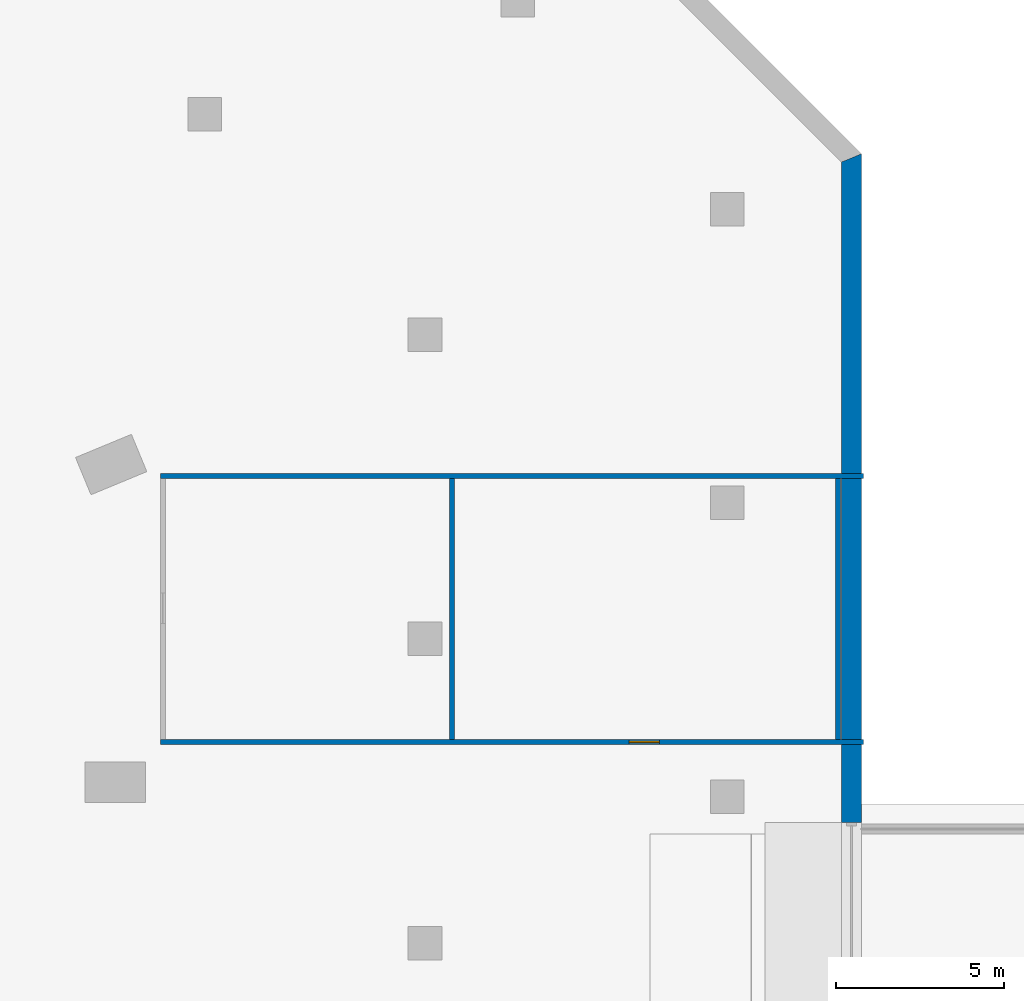
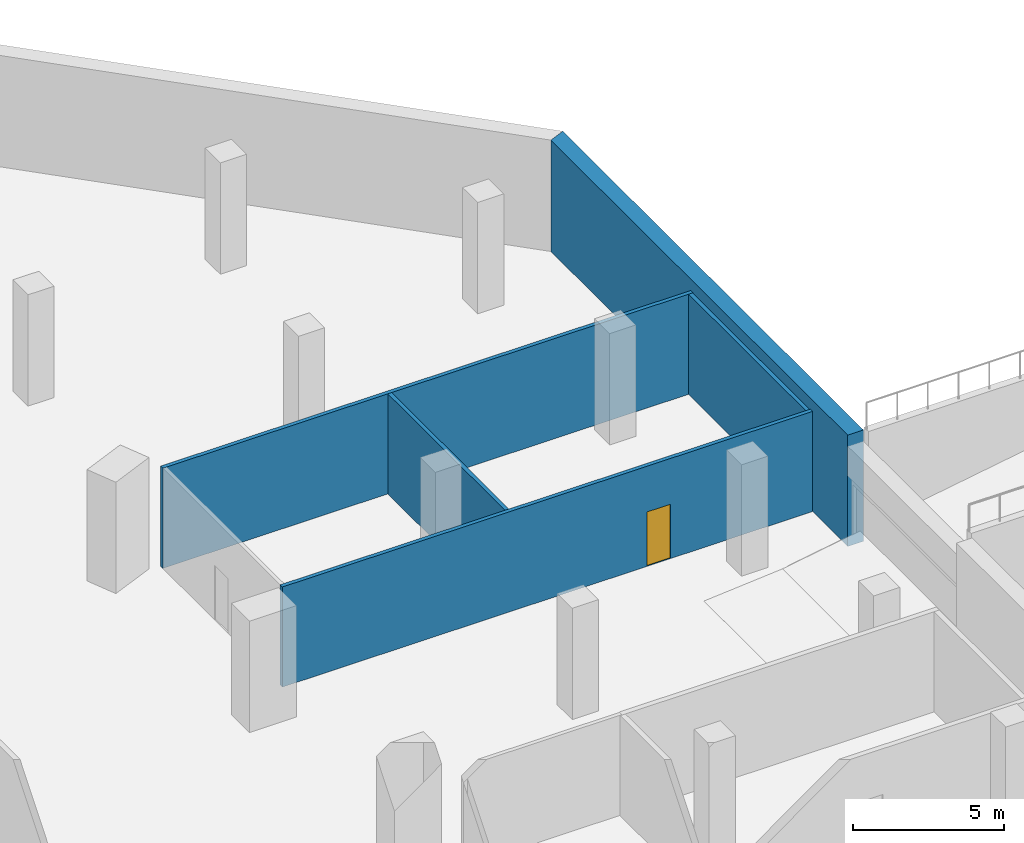
# One storey, part 9 of 11: 5 walls, 1 door, 1 opening.
"""IFC4 building model written with IfcOpenShell, lengths in metres."""

from ifc_helpers import new_model, si_unit, direction, frame, frame_2d, origin, place, context, subcontext, project, spatial, polyline, rectangle, outline, extrude, material, layer, layer_set, type_object, element, fill, save


model = new_model("IFC4")

# Units and contexts
model_context = context("Model", 3, precision=1e-05, world=origin(), true_north=direction((0.0, 1.0)))
body_context = subcontext(model_context, "Body", "Model", "MODEL_VIEW")
ifc_project = project(units=[si_unit("LENGTHUNIT", "METRE"), si_unit("AREAUNIT", "SQUARE_METRE"), si_unit("VOLUMEUNIT", "CUBIC_METRE"), si_unit("PLANEANGLEUNIT", "RADIAN"), si_unit("MASSUNIT", "GRAM", prefix="KILO")], contexts=[model_context])

# Site, building, storey
site_placement = place(None, origin())
site = spatial("IfcSite", under=ifc_project, at=site_placement, CompositionType="ELEMENT")
building_placement = place(site_placement, origin())
building = spatial("IfcBuilding", under=site, at=building_placement, Name="Msitu Wima Residences", CompositionType="ELEMENT")
storey_placement = place(building_placement, frame((0.0, 0.0, -4.5)))
storey = spatial("IfcBuildingStorey", under=building, at=storey_placement, Name="B1", CompositionType="ELEMENT", Elevation=-4.5)

# Wall, opening, door
ifc_material_1 = material(Name="Plaster")
ifc_layer_1 = layer(ifc_material_1, 0.011962890625, Name="Plaster")
ifc_material_2 = material(Name="Concrete blockwork", Category="masonry")
ifc_layer_2 = layer(ifc_material_2, 0.1259765625, Name="Concrete blockwork")
ifc_layer_3 = layer(ifc_material_1, 0.011962890625, Name="Plaster")
ifc_layer_set_1 = layer_set([ifc_layer_1, ifc_layer_2, ifc_layer_3], Name="Concrete blockwork")
wall_type_1 = type_object("IfcWallType", Name="Partition PW150", PredefinedType="PARTITIONING", material=ifc_layer_set_1)
wall_1_placement = place(storey_placement, frame((29.925048828125, 6.0, 0.0), z_axis=(0.0, 0.0, 1.0), x_axis=(1.0, 0.0, 0.0)))
wall_1 = element("IfcWall", 1, at=wall_1_placement, inside=storey, type_object=wall_type_1, Name="Partition", PredefinedType="PARTITIONING", context=body_context, shape_type="SweptSolid", body=[
    extrude(rectangle(XDim=20.929931640625, YDim=0.14990234375, at=frame_2d((10.46484375, 0.0))), origin(), (0.0, 0.0, 1.0), 4.048095703125),
])
opening_placement = place(wall_1_placement, frame((13.949951171875, 0.0, 0.0)))
opening = element("IfcOpeningElement", 2, at=opening_placement, cuts=wall_1, Name="Opening DB1.036", PredefinedType="OPENING", context=body_context, shape_type="SweptSolid", body=[
    extrude(rectangle(XDim=0.89990234375, YDim=2.199951171875, at=frame_2d((0.449951171875, 1.10009765625))), frame((0.0, 0.0849609375, 0.0), z_axis=(0.0, -1.0, 0.0), x_axis=(1.0, 0.0, 0.0)), (0.0, 0.0, 1.0), 0.169921875),
])
ifc_material_3 = material(Name="Timber flush door", Category="wood")
door_type = type_object("IfcDoorType", Name="Service door D05 900x2200", OperationType="SINGLE_SWING_LEFT", PredefinedType="DOOR", material=ifc_material_3)
door_placement = place(opening_placement, origin())
door = element("IfcDoor", 3, at=door_placement, inside=storey, type_object=door_type, Name="Service door", OperationType="SINGLE_SWING_RIGHT", OverallHeight=2.199951171875, OverallWidth=0.89990234375, PredefinedType="DOOR", context=body_context, shape_type="SweptSolid", body=[
    extrude(rectangle(XDim=0.89990234375, YDim=2.199951171875, at=frame_2d((0.449951171875, 1.10009765625))), frame((0.0, 0.02490234375, 0.0), z_axis=(0.0, -1.0, 0.0), x_axis=(1.0, 0.0, 0.0)), (0.0, 0.0, 1.0), 0.050048828125),
])
fill(opening, door)

# Walls
wall_2_placement = place(storey_placement, frame((29.925048828125, 13.91357421875, 0.0), z_axis=(0.0, 0.0, 1.0), x_axis=(1.0, 0.0, 0.0)))
element("IfcWall", 4, at=wall_2_placement, inside=storey, type_object=wall_type_1, Name="Partition", PredefinedType="PARTITIONING", context=body_context, shape_type="SweptSolid", body=[
    extrude(rectangle(XDim=20.929931640625, YDim=0.14990234375, at=frame_2d((10.46484375, 0.0))), origin(), (0.0, 0.0, 1.0), 4.048095703125),
])
for number, where, z_axis, x_axis, name in (
    (5, (38.60009765625, 6.074951171875, 0.0), (0.0, 0.0, 1.0), (0.0, 1.0, 0.0), "Partition"),
    (6, (50.10009765625, 6.074951171875, 0.0), (0.0, 0.0, 1.0), (0.0, 1.0, 0.0), "Partition"),
):
    element("IfcWall", number, at=place(storey_placement, frame(where, z_axis=z_axis, x_axis=x_axis)), inside=storey, type_object=wall_type_1, Name=name, PredefinedType="PARTITIONING", context=body_context, shape_type="SweptSolid", body=[
        extrude(rectangle(XDim=7.763671875, YDim=0.14990234375, at=frame_2d((3.8818359375, 0.0))), origin(), (0.0, 0.0, 1.0), 4.048095703125),
    ])
ifc_material_4 = material(Name="Concrete C60/75", Category="concrete")
ifc_layer_4 = layer(ifc_material_4, 0.60009765625)
ifc_layer_set_2 = layer_set([ifc_layer_4], Name="Concrete C60/75")
wall_type_2 = type_object("IfcWallType", Name="Retaining wall RW600", PredefinedType="SOLIDWALL", material=ifc_layer_set_2)
wall_3_placement = place(storey_placement, origin())
element("IfcWall", 7, at=wall_3_placement, inside=storey, type_object=wall_type_2, Name="Basement retaining wall E B1", PredefinedType="SOLIDWALL", context=body_context, shape_type="SweptSolid", body=[
    extrude(outline(polyline([(50.800048828125, 3.60009765625), (50.800048828125, 23.5126953125), (50.199951171875, 23.26416015625), (50.199951171875, 3.60009765625), (50.800048828125, 3.60009765625)])), origin(), (0.0, 0.0, 1.0), 4.5),
])

save(model, "model.ifc")
